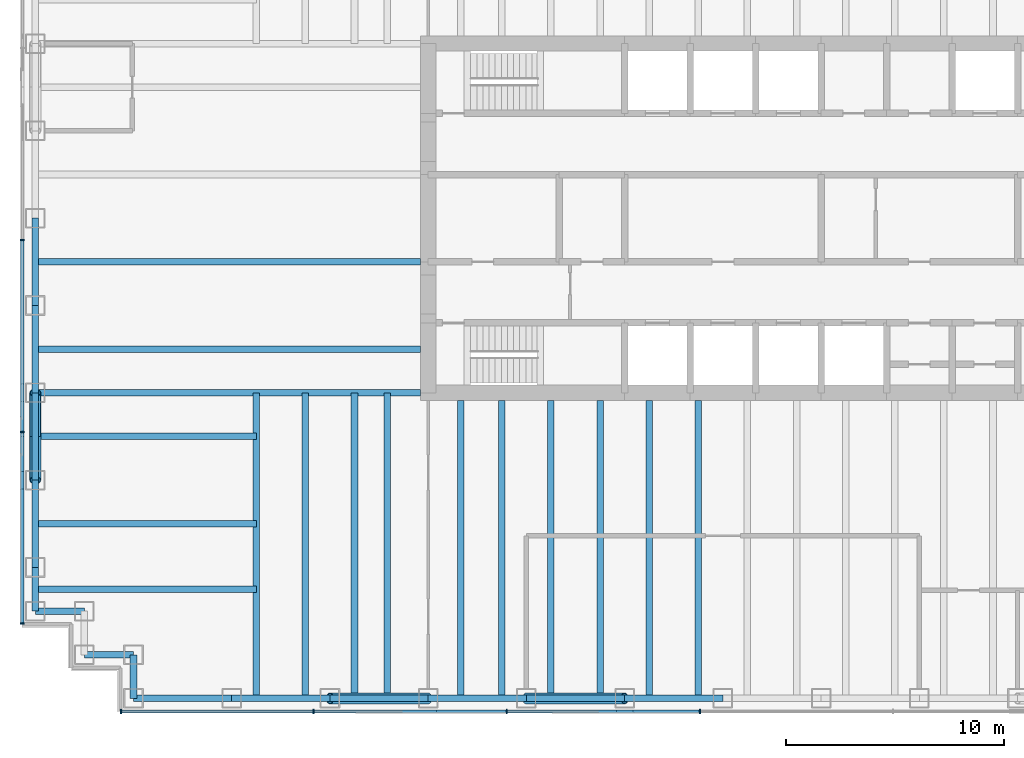
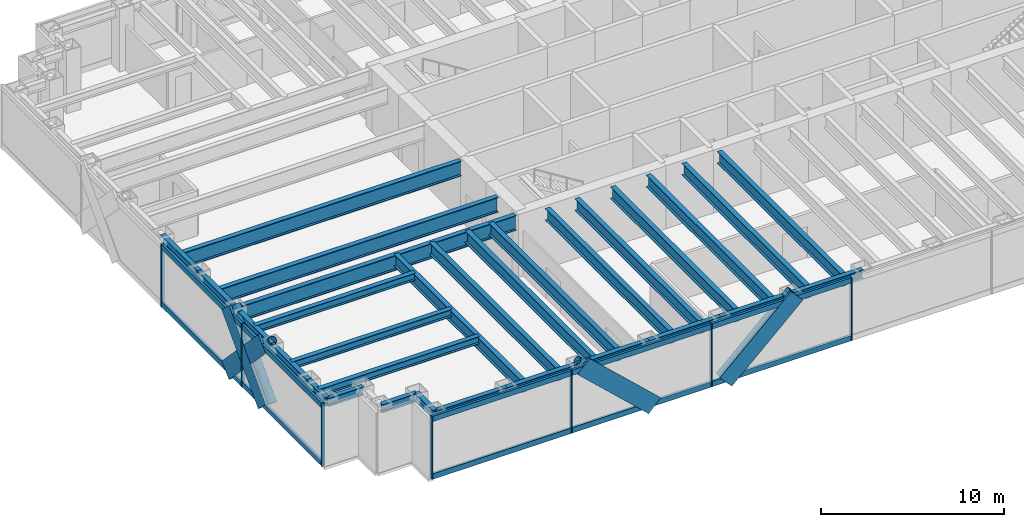
# One storey, part 2 of 17: 30 beams, 25 members, 2 elements without a shape of their own.
"""IFC4 building model written with IfcOpenShell, lengths in metres."""

from ifc_helpers import new_model, si_unit, direction, frame, origin, origin_2d, place, context, subcontext, project, spatial, rectangle, hollow_circle, i_section, extrude, material, material_profile, profile_set, type_object, element, aggregate, save


model = new_model("IFC4")

# Units and contexts
model_context = context("Model", 3, precision=1e-05, world=origin(), true_north=direction((0.0, 1.0)))
body_context = subcontext(model_context, "Body", "Model", "MODEL_VIEW")
ifc_project = project(units=[si_unit("LENGTHUNIT", "METRE"), si_unit("AREAUNIT", "SQUARE_METRE"), si_unit("VOLUMEUNIT", "CUBIC_METRE"), si_unit("PLANEANGLEUNIT", "RADIAN"), si_unit("MASSUNIT", "GRAM", prefix="KILO")], contexts=[model_context])

# Site, building, storey
site_placement = place(None, origin())
site = spatial("IfcSite", under=ifc_project, at=site_placement, CompositionType="ELEMENT")
building_placement = place(site_placement, origin())
building = spatial("IfcBuilding", under=site, at=building_placement, Name="Rheinbord Bourse Tower", CompositionType="ELEMENT")
storey_placement = place(building_placement, frame((0.0, 0.0, 321.5)))
storey = spatial("IfcBuildingStorey", under=building, at=storey_placement, Name="L73", CompositionType="ELEMENT", Elevation=321.5)

# Curtain wall, members
ifc_material_1 = material(Name="Dark glass and black aluminium", Category="aluminium")
curtain_wall_type = type_object("IfcCurtainWallType", Name="CW3 DARK GLASS CURTAIN WALL", PredefinedType="USERDEFINED", material=ifc_material_1)
curtain_wall_1_placement = place(storey_placement, origin())
curtain_wall_1 = element("IfcCurtainWall", 1, at=curtain_wall_1_placement, inside=storey, type_object=curtain_wall_type, Name="Curtain wall CW3 S L73", ObjectType="UNITISED CURTAIN WALL", PredefinedType="USERDEFINED")
ifc_material_2 = material(Name="Black anodised aluminium", Category="aluminium")
ifc_material_profile_1 = material_profile(ifc_material_2, rectangle(XDim=0.14990234375, YDim=1.10791015625, at=origin_2d()), Name="CW3 DIAGONAL MULLION 1108x150")
ifc_profile_set_1 = profile_set([ifc_material_profile_1], Name="Black anodised aluminium")
member_type_1 = type_object("IfcMemberType", Name="CW3 BLACK DIAGONAL MULLION", PredefinedType="USERDEFINED", material=ifc_profile_set_1)
member_1_placement = place(storey_placement, frame((22.5, 1.39990234375, 0.0), z_axis=(0.73105922506, 0.0, 0.682314010889), x_axis=(0.0, 1.0, 0.0)))
member_1 = element("IfcMember", 2, at=member_1_placement, type_object=member_type_1, Name="CW3 diagonal mullion b", ObjectType="DIAGONAL MULLION", PredefinedType="USERDEFINED", context=body_context, shape_type="SweptSolid", body=[
    extrude(rectangle(XDim=0.14990234375, YDim=1.10791015625, at=origin_2d()), origin(), (0.0, 0.0, 1.0), 6.155517578125),
])
member_2_placement = place(storey_placement, frame((18.0, 1.39990234375, 0.0), z_axis=(-0.73105922506, 0.0, 0.682314010889), x_axis=(0.0, -1.0, 0.0)))
member_2 = element("IfcMember", 3, at=member_2_placement, type_object=member_type_1, Name="CW3 diagonal mullion c", ObjectType="DIAGONAL MULLION", PredefinedType="USERDEFINED", context=body_context, shape_type="SweptSolid", body=[
    extrude(rectangle(XDim=0.14990234375, YDim=1.10791015625, at=origin_2d()), origin(), (0.0, 0.0, 1.0), 6.155517578125),
])

curtain_wall_2_placement = place(storey_placement, origin())
curtain_wall_2 = element("IfcCurtainWall", 4, at=curtain_wall_2_placement, inside=storey, type_object=curtain_wall_type, Name="Curtain wall CW3 W L73", ObjectType="UNITISED CURTAIN WALL", PredefinedType="USERDEFINED")
member_3_placement = place(storey_placement, frame((-0.60009765625, 12.0, 0.0), z_axis=(0.0, 0.689659376744, 0.724133926887), x_axis=(-1.0, 0.0, 0.0)))
member_3 = element("IfcMember", 5, at=member_3_placement, type_object=member_type_1, Name="CW3 diagonal mullion a", ObjectType="DIAGONAL MULLION", PredefinedType="USERDEFINED", context=body_context, shape_type="SweptSolid", body=[
    extrude(rectangle(XDim=0.14990234375, YDim=1.10791015625, at=origin_2d()), origin(), (0.0, 0.0, 1.0), 5.800048828125),
])
member_4_placement = place(storey_placement, frame((-0.60009765625, 16.0, 0.0), z_axis=(0.0, -0.689659376744, 0.724133926887), x_axis=(1.0, 0.0, 0.0)))
member_4 = element("IfcMember", 6, at=member_4_placement, type_object=member_type_1, Name="CW3 diagonal mullion d", ObjectType="DIAGONAL MULLION", PredefinedType="USERDEFINED", context=body_context, shape_type="SweptSolid", body=[
    extrude(rectangle(XDim=0.14990234375, YDim=1.10791015625, at=origin_2d()), origin(), (0.0, 0.0, 1.0), 5.800048828125),
])

# Member
ifc_material_3 = material(Name="Black anodised aluminium", Category="aluminium")
ifc_material_profile_2 = material_profile(ifc_material_3, rectangle(XDim=0.199951171875, YDim=0.06494140625, at=origin_2d()), Name="CW3 MULLION 65x200")
ifc_profile_set_2 = profile_set([ifc_material_profile_2], Name="Black anodised aluminium")
member_type_2 = type_object("IfcMemberType", Name="CW3 BLACK MULLION", PredefinedType="MULLION", material=ifc_profile_set_2)
member_5_placement = place(storey_placement, frame((3.9326171875, 1.39990234375, 0.0), z_axis=(0.0, 0.0, 1.0), x_axis=(0.0, 1.0, 0.0)))
member_5 = element("IfcMember", 7, at=member_5_placement, type_object=member_type_2, Name="CW3 mullion 1", PredefinedType="MULLION", context=body_context, shape_type="SweptSolid", body=[
    extrude(rectangle(XDim=0.199951171875, YDim=0.06494140625, at=origin_2d()), origin(), (0.0, 0.0, 1.0), 4.199951171875),
])

member_6_placement = place(storey_placement, frame((12.75, 1.39990234375, 0.0), z_axis=(0.0, 0.0, 1.0), x_axis=(0.0, 1.0, 0.0)))
member_6 = element("IfcMember", 8, at=member_6_placement, type_object=member_type_2, Name="CW3 mullion 2", PredefinedType="MULLION", context=body_context, shape_type="SweptSolid", body=[
    extrude(rectangle(XDim=0.199951171875, YDim=0.06494140625, at=origin_2d()), origin(), (0.0, 0.0, 1.0), 4.199951171875),
])

member_7_placement = place(storey_placement, frame((21.60009765625, 1.39990234375, 0.0), z_axis=(0.0, 0.0, 1.0), x_axis=(0.0, 1.0, 0.0)))
member_7 = element("IfcMember", 9, at=member_7_placement, type_object=member_type_2, Name="CW3 mullion 3", PredefinedType="MULLION", context=body_context, shape_type="SweptSolid", body=[
    extrude(rectangle(XDim=0.199951171875, YDim=0.06494140625, at=origin_2d()), origin(), (0.0, 0.0, 1.0), 4.199951171875),
])

member_8_placement = place(storey_placement, frame((30.449951171875, 1.39990234375, 0.0), z_axis=(0.0, 0.0, 1.0), x_axis=(0.0, 1.0, 0.0)))
member_8 = element("IfcMember", 10, at=member_8_placement, type_object=member_type_2, Name="CW3 mullion 4", PredefinedType="MULLION", context=body_context, shape_type="SweptSolid", body=[
    extrude(rectangle(XDim=0.199951171875, YDim=0.06494140625, at=origin_2d()), origin(), (0.0, 0.0, 1.0), 4.199951171875),
])

member_9_placement = place(storey_placement, frame((-0.60009765625, 23.0, 0.0), z_axis=(0.0, 0.0, 1.0), x_axis=(1.0, 0.0, 0.0)))
member_9 = element("IfcMember", 11, at=member_9_placement, type_object=member_type_2, Name="CW3 mullion 3", PredefinedType="MULLION", context=body_context, shape_type="SweptSolid", body=[
    extrude(rectangle(XDim=0.199951171875, YDim=0.06494140625, at=origin_2d()), origin(), (0.0, 0.0, 1.0), 4.199951171875),
])

member_10_placement = place(storey_placement, frame((-0.60009765625, 14.199951171875, 0.0), z_axis=(0.0, 0.0, 1.0), x_axis=(1.0, 0.0, 0.0)))
member_10 = element("IfcMember", 12, at=member_10_placement, type_object=member_type_2, Name="CW3 mullion 4", PredefinedType="MULLION", context=body_context, shape_type="SweptSolid", body=[
    extrude(rectangle(XDim=0.199951171875, YDim=0.06494140625, at=origin_2d()), origin(), (0.0, 0.0, 1.0), 4.199951171875),
])

member_11_placement = place(storey_placement, frame((-0.60009765625, 5.4326171875, 0.0), z_axis=(0.0, 0.0, 1.0), x_axis=(1.0, 0.0, 0.0)))
member_11 = element("IfcMember", 13, at=member_11_placement, type_object=member_type_2, Name="CW3 mullion 5", PredefinedType="MULLION", context=body_context, shape_type="SweptSolid", body=[
    extrude(rectangle(XDim=0.199951171875, YDim=0.06494140625, at=origin_2d()), origin(), (0.0, 0.0, 1.0), 4.199951171875),
])

ifc_material_4 = material(Name="Black anodised aluminium", Category="aluminium")
ifc_material_profile_3 = material_profile(ifc_material_4, rectangle(XDim=0.14990234375, YDim=0.35009765625, at=origin_2d()), Name="CW3 TRANSOM 350x150")
ifc_profile_set_3 = profile_set([ifc_material_profile_3], Name="Black anodised aluminium")
member_type_3 = type_object("IfcMemberType", Name="CW3 BLACK TRANSOM", PredefinedType="USERDEFINED", material=ifc_profile_set_3)
member_12_placement = place(storey_placement, frame((3.965087890625, 1.39990234375, 0.175048828125), z_axis=(1.0, 0.0, 0.0), x_axis=(0.0, 1.0, 0.0)))
member_12 = element("IfcMember", 14, at=member_12_placement, type_object=member_type_3, Name="CW3 transom 1.1", ObjectType="TRANSOM", PredefinedType="USERDEFINED", context=body_context, shape_type="SweptSolid", body=[
    extrude(rectangle(XDim=0.14990234375, YDim=0.35009765625, at=origin_2d()), origin(), (0.0, 0.0, 1.0), 8.75244140625),
])

member_13_placement = place(storey_placement, frame((3.965087890625, 1.39990234375, 4.02490234375), z_axis=(1.0, 0.0, 0.0), x_axis=(0.0, 1.0, 0.0)))
member_13 = element("IfcMember", 15, at=member_13_placement, type_object=member_type_3, Name="CW3 transom 1.2", ObjectType="TRANSOM", PredefinedType="USERDEFINED", context=body_context, shape_type="SweptSolid", body=[
    extrude(rectangle(XDim=0.14990234375, YDim=0.35009765625, at=origin_2d()), origin(), (0.0, 0.0, 1.0), 8.75244140625),
])

member_14_placement = place(storey_placement, frame((12.782470703125, 1.39990234375, 0.175048828125), z_axis=(1.0, 0.0, 0.0), x_axis=(0.0, 1.0, 0.0)))
member_14 = element("IfcMember", 16, at=member_14_placement, type_object=member_type_3, Name="CW3 transom 2.1", ObjectType="TRANSOM", PredefinedType="USERDEFINED", context=body_context, shape_type="SweptSolid", body=[
    extrude(rectangle(XDim=0.14990234375, YDim=0.35009765625, at=origin_2d()), origin(), (0.0, 0.0, 1.0), 8.784912109375),
])

member_15_placement = place(storey_placement, frame((12.782470703125, 1.39990234375, 4.02490234375), z_axis=(1.0, 0.0, 0.0), x_axis=(0.0, 1.0, 0.0)))
member_15 = element("IfcMember", 17, at=member_15_placement, type_object=member_type_3, Name="CW3 transom 2.2", ObjectType="TRANSOM", PredefinedType="USERDEFINED", context=body_context, shape_type="SweptSolid", body=[
    extrude(rectangle(XDim=0.14990234375, YDim=0.35009765625, at=origin_2d()), origin(), (0.0, 0.0, 1.0), 8.784912109375),
])

member_16_placement = place(storey_placement, frame((21.632568359375, 1.39990234375, 0.175048828125), z_axis=(1.0, 0.0, 0.0), x_axis=(0.0, 1.0, 0.0)))
member_16 = element("IfcMember", 18, at=member_16_placement, type_object=member_type_3, Name="CW3 transom 3.1", ObjectType="TRANSOM", PredefinedType="USERDEFINED", context=body_context, shape_type="SweptSolid", body=[
    extrude(rectangle(XDim=0.14990234375, YDim=0.35009765625, at=origin_2d()), origin(), (0.0, 0.0, 1.0), 8.784912109375),
])

member_17_placement = place(storey_placement, frame((21.632568359375, 1.39990234375, 4.02490234375), z_axis=(1.0, 0.0, 0.0), x_axis=(0.0, 1.0, 0.0)))
member_17 = element("IfcMember", 19, at=member_17_placement, type_object=member_type_3, Name="CW3 transom 3.2", ObjectType="TRANSOM", PredefinedType="USERDEFINED", context=body_context, shape_type="SweptSolid", body=[
    extrude(rectangle(XDim=0.14990234375, YDim=0.35009765625, at=origin_2d()), origin(), (0.0, 0.0, 1.0), 8.784912109375),
])

aggregate(curtain_wall_1, [member_5, member_6, member_7, member_8, member_12, member_13, member_14, member_15, member_16, member_17, member_1, member_2])

member_18_placement = place(storey_placement, frame((-0.60009765625, 22.967529296875, 0.175048828125), z_axis=(0.0, -1.0, 0.0), x_axis=(1.0, 0.0, 0.0)))
member_18 = element("IfcMember", 20, at=member_18_placement, type_object=member_type_3, Name="CW3 transom 3.1", ObjectType="TRANSOM", PredefinedType="USERDEFINED", context=body_context, shape_type="SweptSolid", body=[
    extrude(rectangle(XDim=0.14990234375, YDim=0.35009765625, at=origin_2d()), origin(), (0.0, 0.0, 1.0), 8.735107421875),
])

member_19_placement = place(storey_placement, frame((-0.60009765625, 22.967529296875, 4.02490234375), z_axis=(0.0, -1.0, 0.0), x_axis=(1.0, 0.0, 0.0)))
member_19 = element("IfcMember", 21, at=member_19_placement, type_object=member_type_3, Name="CW3 transom 3.2", ObjectType="TRANSOM", PredefinedType="USERDEFINED", context=body_context, shape_type="SweptSolid", body=[
    extrude(rectangle(XDim=0.14990234375, YDim=0.35009765625, at=origin_2d()), origin(), (0.0, 0.0, 1.0), 8.735107421875),
])

member_20_placement = place(storey_placement, frame((-0.60009765625, 14.16748046875, 0.175048828125), z_axis=(0.0, -1.0, 0.0), x_axis=(1.0, 0.0, 0.0)))
member_20 = element("IfcMember", 22, at=member_20_placement, type_object=member_type_3, Name="CW3 transom 4.1", ObjectType="TRANSOM", PredefinedType="USERDEFINED", context=body_context, shape_type="SweptSolid", body=[
    extrude(rectangle(XDim=0.14990234375, YDim=0.35009765625, at=origin_2d()), origin(), (0.0, 0.0, 1.0), 8.702392578125),
])

member_21_placement = place(storey_placement, frame((-0.60009765625, 14.16748046875, 4.02490234375), z_axis=(0.0, -1.0, 0.0), x_axis=(1.0, 0.0, 0.0)))
member_21 = element("IfcMember", 23, at=member_21_placement, type_object=member_type_3, Name="CW3 transom 4.2", ObjectType="TRANSOM", PredefinedType="USERDEFINED", context=body_context, shape_type="SweptSolid", body=[
    extrude(rectangle(XDim=0.14990234375, YDim=0.35009765625, at=origin_2d()), origin(), (0.0, 0.0, 1.0), 8.702392578125),
])

aggregate(curtain_wall_2, [member_9, member_10, member_11, member_18, member_19, member_20, member_21, member_3, member_4])

# Beams
ifc_material_5 = material(Name="Steel S460", Category="steel")
ifc_material_profile_4 = material_profile(ifc_material_5, i_section(OverallWidth=0.302001953125, OverallDepth=1.008056640625, WebThickness=0.02099609375, FlangeThickness=0.0400390625, at=origin_2d()), Name="HEM 1000")
ifc_profile_set_4 = profile_set([ifc_material_profile_4], Name="Steel S460")
beam_type_1 = type_object("IfcBeamType", Name="END BEAM HEM 1000", PredefinedType="BEAM", material=ifc_profile_set_4)
for number, where, z_axis, x_axis, name in (
    (24, (0.0, 18.0, 3.535888671875), (1.0, 0.0, 0.0), (0.0, 1.0, 0.0), "End beam west 18 L74"),
    (25, (0.0, 22.0, 3.535888671875), (1.0, 0.0, 0.0), (0.0, 1.0, 0.0), "End beam west 22 L74"),
):
    element("IfcBeam", number, at=place(storey_placement, frame(where, z_axis=z_axis, x_axis=x_axis)), inside=storey, type_object=beam_type_1, Name=name, PredefinedType="BEAM", context=body_context, shape_type="SweptSolid", body=[
        extrude(i_section(OverallWidth=0.302001953125, OverallDepth=1.008056640625, WebThickness=0.02099609375, FlangeThickness=0.0400390625, at=origin_2d()), origin(), (0.0, 0.0, 1.0), 17.64990234375),
    ])
ifc_material_6 = material(Name="Steel S460", Category="steel")
ifc_material_profile_5 = material_profile(ifc_material_6, i_section(OverallWidth=0.300048828125, OverallDepth=0.800048828125, WebThickness=0.017578125, FlangeThickness=0.032958984375, at=origin_2d()), Name="HEB 800")
ifc_profile_set_5 = profile_set([ifc_material_profile_5], Name="Steel S460")
beam_type_2 = type_object("IfcBeamType", Name="FLOOR BEAM HEB 800", PredefinedType="BEAM", material=ifc_profile_set_5)
for number, where, z_axis, x_axis, name in (
    (26, (10.125, 2.0, 3.639892578125), (0.0, 1.0, 0.0), (-1.0, 0.0, 0.0), "Floor beam S-9a L74"),
    (27, (12.375, 2.0, 3.639892578125), (0.0, 1.0, 0.0), (-1.0, 0.0, 0.0), "Floor beam S-9b L74"),
    (28, (14.625, 2.0, 3.639892578125), (0.0, 1.0, 0.0), (-1.0, 0.0, 0.0), "Floor beam S-13.5a L74"),
    (29, (16.125, 2.0, 3.639892578125), (0.0, 1.0, 0.0), (-1.0, 0.0, 0.0), "Floor beam S-13.5b L74"),
):
    element("IfcBeam", number, at=place(storey_placement, frame(where, z_axis=z_axis, x_axis=x_axis)), inside=storey, type_object=beam_type_2, Name=name, PredefinedType="BEAM", context=body_context, shape_type="SweptSolid", body=[
        extrude(i_section(OverallWidth=0.300048828125, OverallDepth=0.800048828125, WebThickness=0.017578125, FlangeThickness=0.032958984375, at=origin_2d()), origin(), (0.0, 0.0, 1.0), 14.0),
    ])
for number, where, z_axis, x_axis, name in (
    (30, (19.5, 2.0, 3.639892578125), (0.0, 1.0, 0.0), (-1.0, 0.0, 0.0), "Floor beam S-18a L74"),
    (31, (21.375, 2.0, 3.639892578125), (0.0, 1.0, 0.0), (-1.0, 0.0, 0.0), "Floor beam S-18b L74"),
    (32, (23.625, 2.0, 3.639892578125), (0.0, 1.0, 0.0), (-1.0, 0.0, 0.0), "Floor beam S-22.5a L74"),
    (33, (25.875, 2.0, 3.639892578125), (0.0, 1.0, 0.0), (-1.0, 0.0, 0.0), "Floor beam S-22.5b L74"),
    (34, (28.125, 2.0, 3.639892578125), (0.0, 1.0, 0.0), (-1.0, 0.0, 0.0), "Floor beam S-27a L74"),
    (35, (30.375, 2.0, 3.639892578125), (0.0, 1.0, 0.0), (-1.0, 0.0, 0.0), "Floor beam S-27b L74"),
):
    element("IfcBeam", number, at=place(storey_placement, frame(where, z_axis=z_axis, x_axis=x_axis)), inside=storey, type_object=beam_type_2, Name=name, PredefinedType="BEAM", context=body_context, shape_type="SweptSolid", body=[
        extrude(i_section(OverallWidth=0.300048828125, OverallDepth=0.800048828125, WebThickness=0.017578125, FlangeThickness=0.032958984375, at=origin_2d()), origin(), (0.0, 0.0, 1.0), 13.64990234375),
    ])
ifc_material_7 = material(Name="Steel S460", Category="steel")
ifc_material_profile_6 = material_profile(ifc_material_7, i_section(OverallWidth=0.302001953125, OverallDepth=1.008056640625, WebThickness=0.02099609375, FlangeThickness=0.0400390625, at=origin_2d()), Name="HEM 1000")
ifc_profile_set_6 = profile_set([ifc_material_profile_6], Name="Steel S460")
beam_type_3 = type_object("IfcBeamType", Name="GIRDER HEM 1000", PredefinedType="BEAM", material=ifc_profile_set_6)
beam_1_placement = place(storey_placement, frame((0.0, 16.0, 3.535888671875), z_axis=(1.0, 0.0, 0.0), x_axis=(0.0, 1.0, 0.0)))
element("IfcBeam", 36, at=beam_1_placement, inside=storey, type_object=beam_type_3, Name="Girder west 16 L74", PredefinedType="BEAM", context=body_context, shape_type="SweptSolid", body=[
    extrude(i_section(OverallWidth=0.302001953125, OverallDepth=1.008056640625, WebThickness=0.02099609375, FlangeThickness=0.0400390625, at=origin_2d()), origin(), (0.0, 0.0, 1.0), 17.64990234375),
])

# Members
ifc_material_8 = material(Name="Steel S460", Category="steel")
ifc_material_profile_7 = material_profile(ifc_material_8, hollow_circle(Radius=0.25390625, WallThickness=0.030029296875, at=origin_2d()), Name="CHS 508x30")
ifc_profile_set_7 = profile_set([ifc_material_profile_7], Name="Steel S460")
member_type_4 = type_object("IfcMemberType", Name="MEGABRACE CHS 508x30", PredefinedType="BRACE", material=ifc_profile_set_7)
for number, where, z_axis, x_axis, name in (
    (37, (22.5, 2.0, 0.0), (0.73105922506, 0.0, 0.682314010889), (0.0, 1.0, 0.0), "Megabrace S face line b L73"),
    (38, (18.0, 2.0, 0.0), (-0.73105922506, 0.0, 0.682314010889), (0.0, -1.0, 0.0), "Megabrace S face line c L73"),
):
    element("IfcMember", number, at=place(storey_placement, frame(where, z_axis=z_axis, x_axis=x_axis)), inside=storey, type_object=member_type_4, Name=name, PredefinedType="BRACE", context=body_context, shape_type="SweptSolid", body=[
        extrude(hollow_circle(Radius=0.25390625, WallThickness=0.030029296875, at=origin_2d()), origin(), (0.0, 0.0, 1.0), 6.155517578125),
    ])
for number, where, z_axis, x_axis, name in (
    (39, (0.0, 12.0, 0.0), (0.0, 0.689659376744, 0.724133926887), (-1.0, 0.0, 0.0), "Megabrace W face line a L73"),
    (40, (0.0, 16.0, 0.0), (0.0, -0.689659376744, 0.724133926887), (1.0, 0.0, 0.0), "Megabrace W face line d L73"),
):
    element("IfcMember", number, at=place(storey_placement, frame(where, z_axis=z_axis, x_axis=x_axis)), inside=storey, type_object=member_type_4, Name=name, PredefinedType="BRACE", context=body_context, shape_type="SweptSolid", body=[
        extrude(hollow_circle(Radius=0.25390625, WallThickness=0.030029296875, at=origin_2d()), origin(), (0.0, 0.0, 1.0), 5.800048828125),
    ])

# Beams
ifc_material_9 = material(Name="Steel S460", Category="steel")
ifc_material_profile_8 = material_profile(ifc_material_9, i_section(OverallWidth=0.300048828125, OverallDepth=0.550048828125, WebThickness=0.014892578125, FlangeThickness=0.029052734375, at=origin_2d()), Name="HEB 550")
ifc_profile_set_8 = profile_set([ifc_material_profile_8], Name="Steel S460")
beam_type_4 = type_object("IfcBeamType", Name="SPANDREL HEB 550", PredefinedType="SPANDREL", material=ifc_profile_set_8)
for number, where, z_axis, x_axis, name in (
    (41, (4.5, 2.0, 3.764892578125), (1.0, 0.0, 0.0), (0.0, 1.0, 0.0), "Spandrel SW-E-S-9 under L74"),
    (42, (9.0, 2.0, 3.764892578125), (1.0, 0.0, 0.0), (0.0, 1.0, 0.0), "Spandrel S-9-S-13.5 under L74"),
    (43, (13.5, 2.0, 3.764892578125), (1.0, 0.0, 0.0), (0.0, 1.0, 0.0), "Spandrel S-13.5-S-18 under L74"),
    (44, (18.0, 2.0, 3.764892578125), (1.0, 0.0, 0.0), (0.0, 1.0, 0.0), "Spandrel S-18-S-22.5 under L74"),
    (45, (22.5, 2.0, 3.764892578125), (1.0, 0.0, 0.0), (0.0, 1.0, 0.0), "Spandrel S-22.5-S-27 under L74"),
    (46, (27.0, 2.0, 3.764892578125), (1.0, 0.0, 0.0), (0.0, 1.0, 0.0), "Spandrel S-27-S-31.5 under L74"),
):
    element("IfcBeam", number, at=place(storey_placement, frame(where, z_axis=z_axis, x_axis=x_axis)), inside=storey, type_object=beam_type_4, Name=name, PredefinedType="SPANDREL", context=body_context, shape_type="SweptSolid", body=[
        extrude(i_section(OverallWidth=0.300048828125, OverallDepth=0.550048828125, WebThickness=0.014892578125, FlangeThickness=0.029052734375, at=origin_2d()), origin(), (0.0, 0.0, 1.0), 4.5),
    ])
for number, where, z_axis, x_axis, name in (
    (47, (0.0, 24.0, 3.764892578125), (0.0, -1.0, 0.0), (1.0, 0.0, 0.0), "Spandrel W-24-W-20 under L74"),
    (48, (0.0, 20.0, 3.764892578125), (0.0, -1.0, 0.0), (1.0, 0.0, 0.0), "Spandrel W-20-W-16 under L74"),
    (49, (0.0, 16.0, 3.764892578125), (0.0, -1.0, 0.0), (1.0, 0.0, 0.0), "Spandrel W-16-W-12 under L74"),
    (50, (0.0, 12.0, 3.764892578125), (0.0, -1.0, 0.0), (1.0, 0.0, 0.0), "Spandrel W-12-W-8 under L74"),
):
    element("IfcBeam", number, at=place(storey_placement, frame(where, z_axis=z_axis, x_axis=x_axis)), inside=storey, type_object=beam_type_4, Name=name, PredefinedType="SPANDREL", context=body_context, shape_type="SweptSolid", body=[
        extrude(i_section(OverallWidth=0.300048828125, OverallDepth=0.550048828125, WebThickness=0.014892578125, FlangeThickness=0.029052734375, at=origin_2d()), origin(), (0.0, 0.0, 1.0), 4.0),
    ])
beam_2_placement = place(storey_placement, frame((0.0, 8.0, 3.764892578125), z_axis=(0.0, -1.0, 0.0), x_axis=(1.0, 0.0, 0.0)))
element("IfcBeam", 51, at=beam_2_placement, inside=storey, type_object=beam_type_4, Name="Spandrel W-8-SW-A under L74", PredefinedType="SPANDREL", context=body_context, shape_type="SweptSolid", body=[
    extrude(i_section(OverallWidth=0.300048828125, OverallDepth=0.550048828125, WebThickness=0.014892578125, FlangeThickness=0.029052734375, at=origin_2d()), origin(), (0.0, 0.0, 1.0), 2.0),
])
for number, where, z_axis, x_axis, name in (
    (52, (0.0, 6.0, 3.764892578125), (1.0, 0.0, 0.0), (0.0, 1.0, 0.0), "Spandrel SW-A-SW-B under L74"),
    (53, (2.25, 4.0, 3.764892578125), (1.0, 0.0, 0.0), (0.0, 1.0, 0.0), "Spandrel SW-C-SW-D under L74"),
):
    element("IfcBeam", number, at=place(storey_placement, frame(where, z_axis=z_axis, x_axis=x_axis)), inside=storey, type_object=beam_type_4, Name=name, PredefinedType="SPANDREL", context=body_context, shape_type="SweptSolid", body=[
        extrude(i_section(OverallWidth=0.300048828125, OverallDepth=0.550048828125, WebThickness=0.014892578125, FlangeThickness=0.029052734375, at=origin_2d()), origin(), (0.0, 0.0, 1.0), 2.25),
    ])
beam_3_placement = place(storey_placement, frame((4.5, 4.0, 3.764892578125), z_axis=(0.0, -1.0, 0.0), x_axis=(1.0, 0.0, 0.0)))
element("IfcBeam", 54, at=beam_3_placement, inside=storey, type_object=beam_type_4, Name="Spandrel SW-D-SW-E under L74", PredefinedType="SPANDREL", context=body_context, shape_type="SweptSolid", body=[
    extrude(i_section(OverallWidth=0.300048828125, OverallDepth=0.550048828125, WebThickness=0.014892578125, FlangeThickness=0.029052734375, at=origin_2d()), origin(), (0.0, 0.0, 1.0), 2.0),
])
ifc_material_10 = material(Name="Steel S460", Category="steel")
ifc_material_profile_9 = material_profile(ifc_material_10, i_section(OverallWidth=0.300048828125, OverallDepth=0.5, WebThickness=0.014404296875, FlangeThickness=0.028076171875, at=origin_2d()), Name="HEB 500")
ifc_profile_set_9 = profile_set([ifc_material_profile_9], Name="Steel S460")
beam_type_5 = type_object("IfcBeamType", Name="TIE BEAM HEB 500", PredefinedType="JOIST", material=ifc_profile_set_9)
for number, where, z_axis, x_axis, name in (
    (55, (0.0, 7.0, 3.7900390625), (1.0, 0.0, 0.0), (0.0, 1.0, 0.0), "Tie west 7 L74"),
    (56, (0.0, 10.0, 3.7900390625), (1.0, 0.0, 0.0), (0.0, 1.0, 0.0), "Tie west 10 L74"),
    (57, (0.0, 14.0, 3.7900390625), (1.0, 0.0, 0.0), (0.0, 1.0, 0.0), "Tie west 14 L74"),
):
    element("IfcBeam", number, at=place(storey_placement, frame(where, z_axis=z_axis, x_axis=x_axis)), inside=storey, type_object=beam_type_5, Name=name, PredefinedType="JOIST", context=body_context, shape_type="SweptSolid", body=[
        extrude(i_section(OverallWidth=0.300048828125, OverallDepth=0.5, WebThickness=0.014404296875, FlangeThickness=0.028076171875, at=origin_2d()), origin(), (0.0, 0.0, 1.0), 10.125),
    ])

save(model, "model.ifc")
